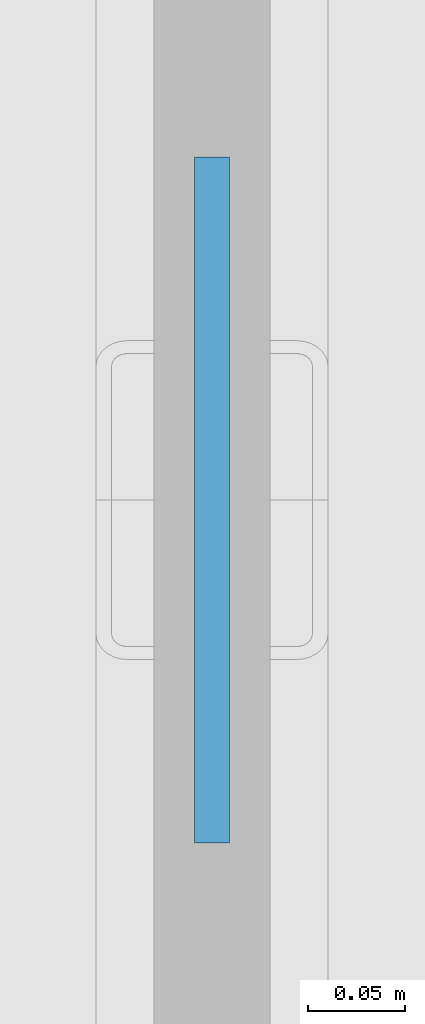
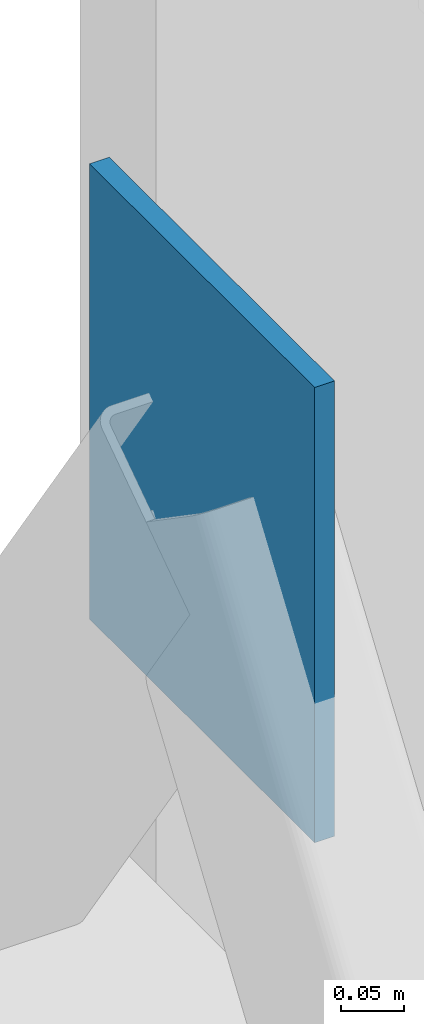
# One storey, part 38 of 61: 1 plate.
"""IFC4 building model written with IfcOpenShell, lengths in metres."""

import ifcopenshell
import ifcopenshell.guid

model = None  # the IFC model being written
_history = None  # IfcOwnerHistory: only IFC2X3 demands one
_inside = {}  # id of a spatial element -> (the spatial element, [elements in it])
_under = {}  # id of a project, library or spatial element -> (it, [spatial elements below it])
_declared = {}  # id of a project -> (the project, [libraries it declares])
_typed = {}  # id of a type object -> (the type object, [elements of that type])
_made_of = {}  # id of a material, layer set ... -> (it, [elements and type objects made of it])


def new_model(schema):
    """Start an empty IFC model of exactly this schema.

    Asked for "IFC4X3", IfcOpenShell would pick the latest addendum, in which some entities
    have other attributes; the version numbers below select the first issue.
    IFC2X3 requires an IfcOwnerHistory on every rooted entity: one is made here for all.
    """
    global model, _history
    if schema == "IFC4X3":
        model = ifcopenshell.file(schema_version=(4, 3, 0, 0))
    else:
        model = ifcopenshell.file(schema=schema)
    _inside.clear()
    _under.clear()
    _declared.clear()
    _typed.clear()
    _made_of.clear()
    _history = None
    if model.schema == "IFC2X3":
        org = make("IfcOrganization", Name="unknown")
        user = make(
            "IfcPersonAndOrganization",
            ThePerson=make("IfcPerson", FamilyName="unknown"),
            TheOrganization=org,
        )
        app = make(
            "IfcApplication",
            ApplicationDeveloper=org,
            Version="unknown",
            ApplicationFullName="unknown",
            ApplicationIdentifier="unknown",
        )
        _history = make(
            "IfcOwnerHistory",
            OwningUser=user,
            OwningApplication=app,
            ChangeAction="ADDED",
            CreationDate=0,
        )
    return model


def make(cls, **values):
    """One entity of the class cls with the attributes given. An attribute that is None is left unset."""
    return model.create_entity(
        cls, **{name: value for name, value in values.items() if value is not None}
    )


def rooted(cls, **values):
    """An entity with a GlobalId (a new one), such as an element, a storey or a relation."""
    return make(cls, GlobalId=ifcopenshell.guid.new(), OwnerHistory=_history, **values)


def si_unit(unit_type, name, prefix=None):
    """IfcSIUnit, for example si_unit("LENGTHUNIT", "METRE", prefix="MILLI")."""
    return make("IfcSIUnit", UnitType=unit_type, Prefix=prefix, Name=name)


def assignment(units):
    """IfcUnitAssignment: the units of a project."""
    return None if units is None else make("IfcUnitAssignment", Units=units)


def point(xyz):
    """IfcCartesianPoint."""
    return None if xyz is None else make("IfcCartesianPoint", Coordinates=xyz)


def direction(xyz):
    """IfcDirection."""
    return None if xyz is None else make("IfcDirection", DirectionRatios=xyz)


def frame(location, z_axis=None, x_axis=None):
    """IfcAxis2Placement3D, a coordinate frame: its origin and axes. An axis left out is left unset."""
    return make(
        "IfcAxis2Placement3D",
        Location=point(location),
        Axis=direction(z_axis),
        RefDirection=direction(x_axis),
    )


def frame_2d(location, x_axis=None):
    """IfcAxis2Placement2D, a coordinate frame in the plane: its origin and x axis."""
    return make(
        "IfcAxis2Placement2D", Location=point(location), RefDirection=direction(x_axis)
    )


def origin():
    """The frame at (0, 0, 0) with its axes left unset."""
    return frame((0.0, 0.0, 0.0))


def origin_2d():
    """The frame at (0, 0) in the plane with its x axis left unset."""
    return frame_2d((0.0, 0.0))


def place(relative_to, where):
    """IfcLocalPlacement: puts the frame where relative to a parent placement (None: the world)."""
    return make(
        "IfcLocalPlacement", PlacementRelTo=relative_to, RelativePlacement=where
    )


def context(
    kind, dimensions, precision=None, world=None, true_north=None, identifier=None
):
    """IfcGeometricRepresentationContext, for example the 3D "Model" context."""
    return make(
        "IfcGeometricRepresentationContext",
        ContextIdentifier=identifier,
        ContextType=kind,
        CoordinateSpaceDimension=dimensions,
        Precision=precision,
        WorldCoordinateSystem=world,
        TrueNorth=true_north,
    )


def subcontext(parent, identifier, kind, view, scale=None):
    """IfcGeometricRepresentationSubContext, for example "Body" below "Model"."""
    return make(
        "IfcGeometricRepresentationSubContext",
        ContextIdentifier=identifier,
        ContextType=kind,
        ParentContext=parent,
        TargetScale=scale,
        TargetView=view,
    )


def project(units=None, contexts=None):
    """IfcProject with its units and contexts."""
    return rooted(
        "IfcProject",
        Name="project",
        RepresentationContexts=contexts,
        UnitsInContext=assignment(units),
    )


def spatial(cls, under=None, at=None, **own):
    """A site, building, storey or space (cls), placed at a placement, below another one or the project."""
    s = rooted(cls, ObjectPlacement=at, **own)
    if under is not None:
        _under.setdefault(under.id(), (under, []))[1].append(s)
    return s


def profile(cls, at=None, kind="AREA", **sizes):
    """A parametric profile (cls). Its sizes go by their IFC names, for example OverallWidth=200.0."""
    return make(cls, ProfileType=kind, Position=at, **sizes)


def rectangle(**sizes):
    """IfcRectangleProfileDef."""
    return profile("IfcRectangleProfileDef", **sizes)


def extrude(swept, where, along, depth):
    """IfcExtrudedAreaSolid: the profile swept, set in the frame where, extruded along a direction by depth."""
    return make(
        "IfcExtrudedAreaSolid",
        SweptArea=swept,
        Position=where,
        ExtrudedDirection=direction(along),
        Depth=depth,
    )


def shape(context_of_items, identifier, shape_type, items):
    """IfcShapeRepresentation: the items that make up one representation, for example the "Body"."""
    return make(
        "IfcShapeRepresentation",
        ContextOfItems=context_of_items,
        RepresentationIdentifier=identifier,
        RepresentationType=shape_type,
        Items=items,
    )


def material(Name=None, Category=None):
    """IfcMaterial."""
    return make("IfcMaterial", Name=Name, Category=Category)


def layer(
    of_material, thickness, ventilated=None, Name=None, Category=None, Priority=None
):
    """IfcMaterialLayer: one layer of a wall or slab, of a material (None: an air gap)."""
    return make(
        "IfcMaterialLayer",
        Material=of_material,
        LayerThickness=thickness,
        IsVentilated=ventilated,
        Name=Name,
        Category=Category,
        Priority=Priority,
    )


def layer_set(layers, Name=None):
    """IfcMaterialLayerSet."""
    return make("IfcMaterialLayerSet", MaterialLayers=layers, LayerSetName=Name)


def made_of(thing, what):
    """Note that an element or type object is made of a material, layer set ...; save() writes the relation."""
    if what is not None:
        _made_of.setdefault(what.id(), (what, []))[1].append(thing)
    return thing


def type_object(cls, material=None, **own):
    """A type object (cls), such as IfcWallType, which elements share."""
    return made_of(rooted(cls, **own), material)


def element(
    cls,
    number,
    at=None,
    inside=None,
    cuts=None,
    type_object=None,
    material=None,
    context=None,
    identifier="Body",
    shape_type=None,
    held_by="IfcProductDefinitionShape",
    body=None,
    shapes=None,
    **own,
):
    """One element of the class cls, such as IfcWall. Its Tag is "e" and its number.

    at: its placement. inside: the storey or other place that contains it. cuts: it is an
    opening in that element (IfcRelVoidsElement). A single representation is given by context,
    identifier, shape_type and body (its items); several are given by shapes. held_by: the class
    of the entity that holds the representations. save() writes the other relations.
    """
    e = rooted(cls, Tag="e%d" % number, ObjectPlacement=at, **own)
    if body is not None:
        shapes = [shape(context, identifier, shape_type, body)]
    if shapes is not None:
        e.Representation = make(held_by, Representations=shapes)
    if inside is not None:
        _inside.setdefault(inside.id(), (inside, []))[1].append(e)
    if cuts is not None:
        rooted(
            "IfcRelVoidsElement", RelatingBuildingElement=cuts, RelatedOpeningElement=e
        )
    if type_object is not None:
        _typed.setdefault(type_object.id(), (type_object, []))[1].append(e)
    return made_of(e, material)


def aggregate(whole, parts):
    """IfcRelAggregates: a whole, such as a stair, and the parts it consists of."""
    return rooted("IfcRelAggregates", RelatingObject=whole, RelatedObjects=parts)


def save(model, path):
    """Write the relations noted so far, then the file.

    IfcRelAggregates (storeys below a building ...), IfcRelContainedInSpatialStructure (elements
    in a storey), IfcRelDefinesByType, IfcRelAssociatesMaterial and IfcRelDeclares: one each for
    every whole, place, type object, material and project.
    """
    for whole, parts in _under.values():
        aggregate(whole, parts)
    for where, things in _inside.values():
        rooted(
            "IfcRelContainedInSpatialStructure",
            RelatedElements=things,
            RelatingStructure=where,
        )
    for kind, things in _typed.values():
        rooted("IfcRelDefinesByType", RelatedObjects=things, RelatingType=kind)
    for what, things in _made_of.values():
        rooted("IfcRelAssociatesMaterial", RelatedObjects=things, RelatingMaterial=what)
    for by, libraries in _declared.values():
        rooted("IfcRelDeclares", RelatingContext=by, RelatedDefinitions=libraries)
    model.write(path)


model = new_model("IFC4")

# Units and contexts
model_context = context("Model", 3, precision=1e-05, world=origin(), true_north=direction((0.0, 1.0)))
body_context = subcontext(model_context, "Body", "Model", "MODEL_VIEW")
ifc_project = project(units=[si_unit("LENGTHUNIT", "METRE"), si_unit("AREAUNIT", "SQUARE_METRE"), si_unit("VOLUMEUNIT", "CUBIC_METRE"), si_unit("PLANEANGLEUNIT", "RADIAN"), si_unit("MASSUNIT", "GRAM", prefix="KILO")], contexts=[model_context])

# Site, building, storey
site_placement = place(None, origin())
site = spatial("IfcSite", under=ifc_project, at=site_placement, CompositionType="ELEMENT")
building_placement = place(site_placement, origin())
building = spatial("IfcBuilding", under=site, at=building_placement, Name="Kolvemor Railside Polytechnic", CompositionType="ELEMENT")
storey_placement = place(building_placement, frame((0.0, 0.0, 10.199951171875)))
storey = spatial("IfcBuildingStorey", under=building, at=storey_placement, Name="L02", CompositionType="ELEMENT", Elevation=10.199951171875)

# Plate
ifc_material = material(Name="Steel S355", Category="steel")
ifc_layer = layer(ifc_material, 0.01806640625, Name="PLT-GUSSET-1")
ifc_layer_set = layer_set([ifc_layer], Name="Steel S355")
plate_type = type_object("IfcPlateType", Name="PLT-GUSSET-1", PredefinedType="USERDEFINED", material=ifc_layer_set)
plate_placement = place(storey_placement, frame((0.0, 79.199951171875, 3.43115234375), z_axis=(0.0, 0.0, 1.0), x_axis=(0.0, 1.0, 0.0)))
element("IfcPlate", 1, at=plate_placement, inside=storey, type_object=plate_type, Name="Brace Chevron Gusset Plate GP-BR17", ObjectType="GUSSET PLATE", PredefinedType="USERDEFINED", context=body_context, shape_type="SweptSolid", body=[
    extrude(rectangle(XDim=0.35498046875, YDim=0.01806640625, at=origin_2d()), origin(), (0.0, 0.0, 1.0), 0.43798828125),
])

save(model, "model.ifc")
